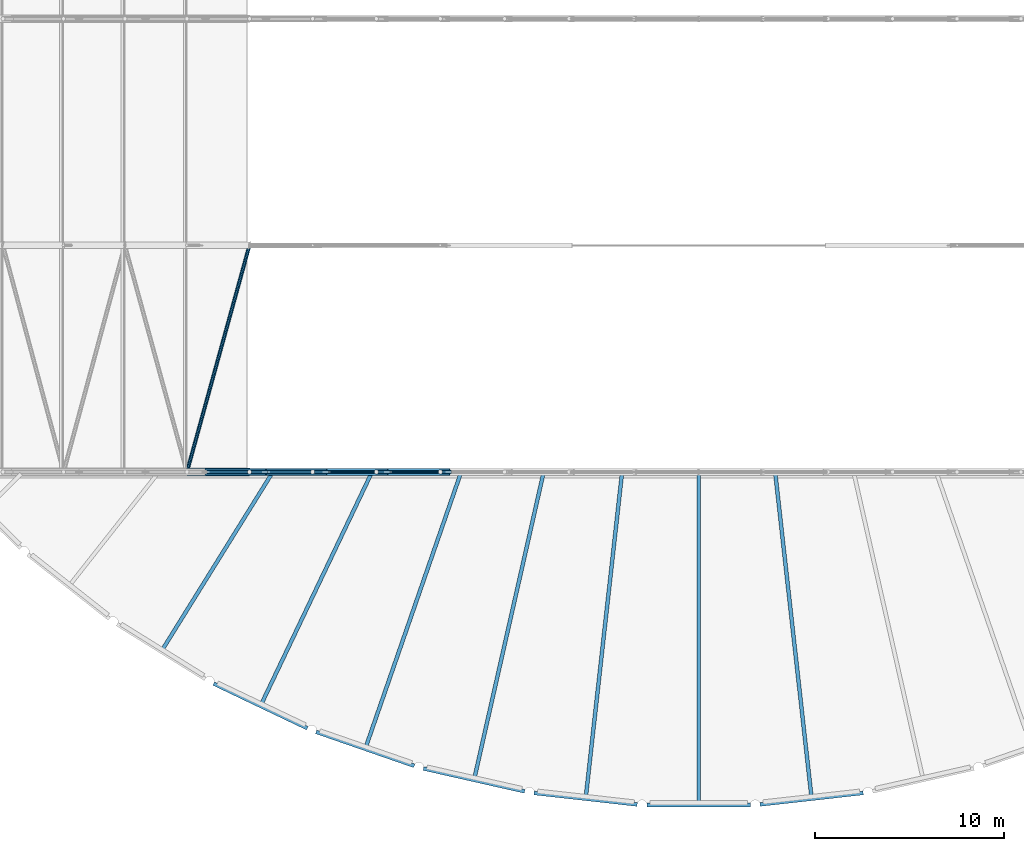
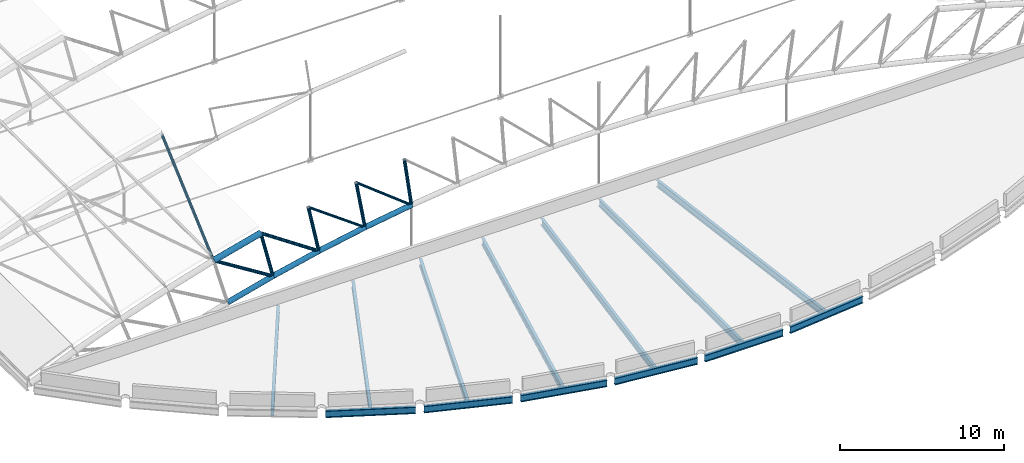
# One storey, part 17 of 321: 21 members, 6 beams.
"""IFC4 building model written with IfcOpenShell, lengths in metres."""

from ifc_helpers import new_model, si_unit, direction, frame, origin, origin_2d, place, context, subcontext, project, spatial, hollow_circle, i_section, extrude, material, material_profile, profile_set, type_object, element, save


model = new_model("IFC4")

# Units and contexts
model_context = context("Model", 3, precision=1e-05, world=origin(), true_north=direction((0.0, 1.0)))
body_context = subcontext(model_context, "Body", "Model", "MODEL_VIEW")
ifc_project = project(units=[si_unit("LENGTHUNIT", "METRE"), si_unit("AREAUNIT", "SQUARE_METRE"), si_unit("VOLUMEUNIT", "CUBIC_METRE"), si_unit("PLANEANGLEUNIT", "RADIAN"), si_unit("MASSUNIT", "GRAM", prefix="KILO")], contexts=[model_context])

# Site, building, storey
site_placement = place(None, origin())
site = spatial("IfcSite", under=ifc_project, at=site_placement, CompositionType="ELEMENT")
building_placement = place(site_placement, origin())
building = spatial("IfcBuilding", under=site, at=building_placement, Name="Ravi Spectrum Wholesale Market", CompositionType="ELEMENT")
storey_placement = place(building_placement, frame((0.0, 0.0, 10.800048828125)))
storey = spatial("IfcBuildingStorey", under=building, at=storey_placement, Name="L02", CompositionType="ELEMENT", Elevation=10.800048828125)

# Members
ifc_material_1 = material(Name="Steel S355", Category="steel")
ifc_material_profile_1 = material_profile(ifc_material_1, hollow_circle(Radius=0.084228515625, WallThickness=0.00634765625, at=origin_2d()))
ifc_profile_set_1 = profile_set([ifc_material_profile_1], Name="Steel S355")
member_type_1 = type_object("IfcMemberType", Name="CHS 168.3x6.3 brace", PredefinedType="BRACE", material=ifc_profile_set_1)
for number, where, z_axis, x_axis, name in (
    (1, (49.563720703125, 30.0, 6.27734375), (0.808703958366, 0.0, -0.588215868303), (0.0, 1.0, 0.0), "H1-MB-L02-077"),
    (2, (52.9326171875, 30.0, 6.92431640625), (0.787944778548, 0.0, -0.615745910225), (0.0, 1.0, 0.0), "H1-MB-L02-078"),
):
    element("IfcMember", number, at=place(storey_placement, frame(where, z_axis=z_axis, x_axis=x_axis)), inside=storey, type_object=member_type_1, Name=name, PredefinedType="BRACE", context=body_context, shape_type="SweptSolid", body=[
        extrude(hollow_circle(Radius=0.084228515625, WallThickness=0.00634765625, at=origin_2d()), origin(), (0.0, 0.0, 1.0), 4.9296875),
    ])
ifc_material_2 = material(Name="Steel S355", Category="steel")
ifc_material_profile_2 = material_profile(ifc_material_2, hollow_circle(Radius=0.096923828125, WallThickness=0.00634765625, at=origin_2d()))
ifc_profile_set_2 = profile_set([ifc_material_profile_2], Name="Steel S355")
member_type_2 = type_object("IfcMemberType", Name="CHS 193.7x6.3 brace", PredefinedType="BRACE", material=ifc_profile_set_2)
member_1_placement = place(storey_placement, frame((42.903076171875, 30.0, 4.63671875), z_axis=(0.265211760798, 0.961475768309, 0.072298470859), x_axis=(-0.963998512585, 0.265907630079, 0.0)))
element("IfcMember", 3, at=member_1_placement, inside=storey, type_object=member_type_2, Name="H1-MB-L02-1588", PredefinedType="BRACE", context=body_context, shape_type="SweptSolid", body=[
    extrude(hollow_circle(Radius=0.096923828125, WallThickness=0.00634765625, at=origin_2d()), origin(), (0.0, 0.0, 1.0), 12.480712890625),
])
ifc_material_3 = material(Name="Steel S355", Category="steel")
ifc_material_profile_3 = material_profile(ifc_material_3, hollow_circle(Radius=0.109619140625, WallThickness=0.008056640625, at=origin_2d()))
ifc_profile_set_3 = profile_set([ifc_material_profile_3], Name="Steel S355")
member_type_3 = type_object("IfcMemberType", Name="CHS 219.1x8 brace", PredefinedType="BRACE", material=ifc_profile_set_3)
for number, where, z_axis, x_axis, name in (
    (4, (42.903076171875, 30.0, 4.63671875), (0.847368909482, 0.0, -0.531004643335), (0.0, 1.0, 0.0), "H1-MB-L02-075"),
    (5, (46.21923828125, 30.0, 5.514404296875), (0.828544259915, 0.0, -0.559923574573), (0.0, 1.0, 0.0), "H1-MB-L02-076"),
):
    element("IfcMember", number, at=place(storey_placement, frame(where, z_axis=z_axis, x_axis=x_axis)), inside=storey, type_object=member_type_3, Name=name, PredefinedType="BRACE", context=body_context, shape_type="SweptSolid", body=[
        extrude(hollow_circle(Radius=0.109619140625, WallThickness=0.008056640625, at=origin_2d()), origin(), (0.0, 0.0, 1.0), 4.9296875),
    ])
ifc_material_4 = material(Name="Steel S355", Category="steel")
ifc_material_profile_4 = material_profile(ifc_material_4, hollow_circle(Radius=0.109619140625, WallThickness=0.008056640625, at=origin_2d()))
ifc_profile_set_4 = profile_set([ifc_material_profile_4], Name="Steel S355")
member_type_4 = type_object("IfcMemberType", Name="CHS 219.1x8 post", PredefinedType="POST", material=ifc_profile_set_4)
member_2_placement = place(storey_placement, frame((46.21923828125, 30.0, 5.514404296875), z_axis=(0.239199072456, 0.0, -0.970970547306), x_axis=(0.0, 1.0, 0.0)))
element("IfcMember", 6, at=member_2_placement, inside=storey, type_object=member_type_4, Name="H1-MB-L02-053", PredefinedType="POST", context=body_context, shape_type="SweptSolid", body=[
    extrude(hollow_circle(Radius=0.109619140625, WallThickness=0.008056640625, at=origin_2d()), origin(), (0.0, 0.0, 1.0), 3.599853515625),
])
for number, where, z_axis, x_axis, name in (
    (7, (49.563720703125, 30.0, 6.27734375), (0.205549060287, 0.0, -0.978646812602), (0.0, 1.0, 0.0), "H1-MB-L02-054"),
    (8, (52.9326171875, 30.0, 6.92431640625), (0.171575852457, 0.0, -0.985170912509), (0.0, 1.0, 0.0), "H1-MB-L02-055"),
):
    element("IfcMember", number, at=place(storey_placement, frame(where, z_axis=z_axis, x_axis=x_axis)), inside=storey, type_object=member_type_4, Name=name, PredefinedType="POST", context=body_context, shape_type="SweptSolid", body=[
        extrude(hollow_circle(Radius=0.109619140625, WallThickness=0.008056640625, at=origin_2d()), origin(), (0.0, 0.0, 1.0), 3.60009765625),
    ])
member_3_placement = place(storey_placement, frame((56.321533203125, 30.0, 7.45458984375), z_axis=(0.137603486835, 0.0, -0.990487395382), x_axis=(0.0, 1.0, 0.0)))
element("IfcMember", 9, at=member_3_placement, inside=storey, type_object=member_type_4, Name="H1-MB-L02-056", PredefinedType="POST", context=body_context, shape_type="SweptSolid", body=[
    extrude(hollow_circle(Radius=0.109619140625, WallThickness=0.008056640625, at=origin_2d()), origin(), (0.0, 0.0, 1.0), 3.599853515625),
])
ifc_material_5 = material(Name="Steel S355", Category="steel")
ifc_material_profile_5 = material_profile(ifc_material_5, hollow_circle(Radius=0.177734375, WallThickness=0.012451171875, at=origin_2d()))
ifc_profile_set_5 = profile_set([ifc_material_profile_5], Name="Steel S355")
member_type_5 = type_object("IfcMemberType", Name="CHS 355.6x12.5 chord", PredefinedType="CHORD", material=ifc_profile_set_5)
for number, where, z_axis, x_axis, name in (
    (10, (43.88427734375, 30.0, 1.173095703125), (0.966710063159, 0.0, 0.255874292938), (0.0, 1.0, 0.0), "H1-MB-L02-029"),
    (11, (47.080322265625, 30.0, 2.01904296875), (0.974967923727, 0.0, 0.222345559217), (0.0, 1.0, 0.0), "H1-MB-L02-030"),
):
    element("IfcMember", number, at=place(storey_placement, frame(where, z_axis=z_axis, x_axis=x_axis)), inside=storey, type_object=member_type_5, Name=name, PredefinedType="CHORD", context=body_context, shape_type="SweptSolid", body=[
        extrude(hollow_circle(Radius=0.177734375, WallThickness=0.012451171875, at=origin_2d()), origin(), (0.0, 0.0, 1.0), 3.30615234375),
    ])
member_4_placement = place(storey_placement, frame((50.3037109375, 30.0, 2.754150390625), z_axis=(0.982051718756, 0.0, 0.188611828072), x_axis=(0.0, 1.0, 0.0)))
element("IfcMember", 12, at=member_4_placement, inside=storey, type_object=member_type_5, Name="H1-MB-L02-031", PredefinedType="CHORD", context=body_context, shape_type="SweptSolid", body=[
    extrude(hollow_circle(Radius=0.177734375, WallThickness=0.012451171875, at=origin_2d()), origin(), (0.0, 0.0, 1.0), 3.305908203125),
])
member_5_placement = place(storey_placement, frame((53.55029296875, 30.0, 3.377685546875), z_axis=(0.987973992944, 0.0, 0.154620145084), x_axis=(0.0, 1.0, 0.0)))
element("IfcMember", 13, at=member_5_placement, inside=storey, type_object=member_type_5, Name="H1-MB-L02-032", PredefinedType="CHORD", context=body_context, shape_type="SweptSolid", body=[
    extrude(hollow_circle(Radius=0.177734375, WallThickness=0.012451171875, at=origin_2d()), origin(), (0.0, 0.0, 1.0), 3.306396484375),
])
ifc_material_6 = material(Name="Steel S355", Category="steel")
ifc_material_profile_6 = material_profile(ifc_material_6, hollow_circle(Radius=0.203125, WallThickness=0.01611328125, at=origin_2d()))
ifc_profile_set_6 = profile_set([ifc_material_profile_6], Name="Steel S355")
member_type_6 = type_object("IfcMemberType", Name="CHS 406.4x16 chord", PredefinedType="CHORD", material=ifc_profile_set_6)
member_6_placement = place(storey_placement, frame((42.903076171875, 30.0, 4.63671875), z_axis=(0.966714030155, 0.0, 0.255859304896), x_axis=(0.0, 1.0, 0.0)))
element("IfcMember", 14, at=member_6_placement, inside=storey, type_object=member_type_6, Name="H1-MB-L02-005", PredefinedType="CHORD", context=body_context, shape_type="SweptSolid", body=[
    extrude(hollow_circle(Radius=0.203125, WallThickness=0.01611328125, at=origin_2d()), origin(), (0.0, 0.0, 1.0), 3.430419921875),
])

# Beams
ifc_material_7 = material(Name="Steel S355", Category="steel")
ifc_material_profile_7 = material_profile(ifc_material_7, i_section(OverallWidth=0.199951171875, OverallDepth=0.5, WebThickness=0.01025390625, FlangeThickness=0.01611328125, at=origin_2d()))
ifc_profile_set_7 = profile_set([ifc_material_profile_7], Name="Steel S355")
beam_type = type_object("IfcBeamType", Name="IPE 500 girder", PredefinedType="BEAM", material=ifc_profile_set_7)
beam_1_placement = place(storey_placement, frame((44.31640625, 18.791015625, -0.449951171875), z_axis=(0.902666614249, -0.430340543664, 0.0), x_axis=(0.430340543664, 0.902666614249, 0.0)))
element("IfcBeam", 15, at=beam_1_placement, inside=storey, type_object=beam_type, Name="H1-BM-L02-034", PredefinedType="BEAM", context=body_context, shape_type="SweptSolid", body=[
    extrude(i_section(OverallWidth=0.199951171875, OverallDepth=0.5, WebThickness=0.01025390625, FlangeThickness=0.01611328125, at=origin_2d()), origin(), (0.0, 0.0, 1.0), 5.4951171875),
])
for number, where, z_axis, x_axis, name in (
    (16, (49.745849609375, 16.233642578125, -0.449951171875), (0.944852880638, -0.327495089964, 0.0), (0.327495089964, 0.944852880638, 0.0), "H1-BM-L02-035"),
    (17, (55.42529296875, 14.294677734375, -0.449951171875), (0.975365810688, -0.220593597689, 0.0), (0.220593597689, 0.975365810688, 0.0), "H1-BM-L02-036"),
    (18, (61.28515625, 12.998291015625, -0.449951171875), (0.993821809942, -0.110987432101, 0.0), (0.110987432101, 0.993821809942, 0.0), "H1-BM-L02-037"),
):
    element("IfcBeam", number, at=place(storey_placement, frame(where, z_axis=z_axis, x_axis=x_axis)), inside=storey, type_object=beam_type, Name=name, PredefinedType="BEAM", context=body_context, shape_type="SweptSolid", body=[
        extrude(i_section(OverallWidth=0.199951171875, OverallDepth=0.5, WebThickness=0.01025390625, FlangeThickness=0.01611328125, at=origin_2d()), origin(), (0.0, 0.0, 1.0), 5.494873046875),
    ])
beam_2_placement = place(storey_placement, frame((67.25244140625, 12.360107421875, -0.449951171875), z_axis=(1.0, 0.0, 0.0), x_axis=(0.0, 1.0, 0.0)))
element("IfcBeam", 19, at=beam_2_placement, inside=storey, type_object=beam_type, Name="H1-BM-L02-038", PredefinedType="BEAM", context=body_context, shape_type="SweptSolid", body=[
    extrude(i_section(OverallWidth=0.199951171875, OverallDepth=0.5, WebThickness=0.01025390625, FlangeThickness=0.01611328125, at=origin_2d()), origin(), (0.0, 0.0, 1.0), 5.4951171875),
])
beam_3_placement = place(storey_placement, frame((73.25390625, 12.388427734375, -0.449951171875), z_axis=(0.993821809942, 0.110987432101, 0.0), x_axis=(-0.110987432101, 0.993821809942, 0.0)))
element("IfcBeam", 20, at=beam_3_placement, inside=storey, type_object=beam_type, Name="H1-BM-L02-039", PredefinedType="BEAM", context=body_context, shape_type="SweptSolid", body=[
    extrude(i_section(OverallWidth=0.199951171875, OverallDepth=0.5, WebThickness=0.01025390625, FlangeThickness=0.01611328125, at=origin_2d()), origin(), (0.0, 0.0, 1.0), 5.494873046875),
])

# Members
ifc_material_8 = material(Name="Steel S355", Category="steel")
ifc_material_profile_8 = material_profile(ifc_material_8, i_section(OverallWidth=0.199951171875, OverallDepth=0.5, WebThickness=0.01025390625, FlangeThickness=0.01611328125, at=origin_2d()))
ifc_profile_set_8 = profile_set([ifc_material_profile_8], Name="Steel S355")
member_type_7 = type_object("IfcMemberType", Name="IPE 500 rafter", PredefinedType="RAFTER", material=ifc_profile_set_8)
member_7_placement = place(storey_placement, frame((41.5908203125, 20.569580078125, -0.449951171875), z_axis=(0.527893830436, 0.849310369528, 0.0), x_axis=(-0.849310369528, 0.527893830436, 0.0)))
element("IfcMember", 21, at=member_7_placement, inside=storey, type_object=member_type_7, Name="H1-MB-L02-1740", PredefinedType="RAFTER", context=body_context, shape_type="SweptSolid", body=[
    extrude(i_section(OverallWidth=0.199951171875, OverallDepth=0.5, WebThickness=0.01025390625, FlangeThickness=0.01611328125, at=origin_2d()), origin(), (0.0, 0.0, 1.0), 10.98583984375),
])
member_8_placement = place(storey_placement, frame((46.839599609375, 17.69873046875, -0.449951171875), z_axis=(0.430359103949, 0.902657765517, 0.0), x_axis=(-0.902657765517, 0.430359103949, 0.0)))
element("IfcMember", 22, at=member_8_placement, inside=storey, type_object=member_type_7, Name="H1-MB-L02-1741", PredefinedType="RAFTER", context=body_context, shape_type="SweptSolid", body=[
    extrude(i_section(OverallWidth=0.199951171875, OverallDepth=0.5, WebThickness=0.01025390625, FlangeThickness=0.01611328125, at=origin_2d()), origin(), (0.0, 0.0, 1.0), 13.516845703125),
])
member_9_placement = place(storey_placement, frame((52.37451171875, 15.42822265625, -0.449951171875), z_axis=(0.327514566232, 0.944846129751, 0.0), x_axis=(-0.944846129751, 0.327514566232, 0.0)))
element("IfcMember", 23, at=member_9_placement, inside=storey, type_object=member_type_7, Name="H1-MB-L02-1742", PredefinedType="RAFTER", context=body_context, shape_type="SweptSolid", body=[
    extrude(i_section(OverallWidth=0.199951171875, OverallDepth=0.5, WebThickness=0.01025390625, FlangeThickness=0.01611328125, at=origin_2d()), origin(), (0.0, 0.0, 1.0), 15.31640625),
])
member_10_placement = place(storey_placement, frame((58.127197265625, 13.7861328125, -0.449951171875), z_axis=(0.220616912558, 0.975360537388, 0.0), x_axis=(-0.975360537388, 0.220616912558, 0.0)))
element("IfcMember", 24, at=member_10_placement, inside=storey, type_object=member_type_7, Name="H1-MB-L02-1743", PredefinedType="RAFTER", context=body_context, shape_type="SweptSolid", body=[
    extrude(i_section(OverallWidth=0.199951171875, OverallDepth=0.5, WebThickness=0.01025390625, FlangeThickness=0.01611328125, at=origin_2d()), origin(), (0.0, 0.0, 1.0), 16.520751953125),
])
member_11_placement = place(storey_placement, frame((64.026611328125, 12.792724609375, -0.449951171875), z_axis=(0.11099658186, 0.993820788078, 0.0), x_axis=(-0.993820788078, 0.11099658186, 0.0)))
element("IfcMember", 25, at=member_11_placement, inside=storey, type_object=member_type_7, Name="H1-MB-L02-1744", PredefinedType="RAFTER", context=body_context, shape_type="SweptSolid", body=[
    extrude(i_section(OverallWidth=0.199951171875, OverallDepth=0.5, WebThickness=0.01025390625, FlangeThickness=0.01611328125, at=origin_2d()), origin(), (0.0, 0.0, 1.0), 17.213623046875),
])
member_12_placement = place(storey_placement, frame((70.0, 12.460205078125, -0.449951171875), z_axis=(0.0, 1.0, 0.0), x_axis=(-1.0, 0.0, 0.0)))
element("IfcMember", 26, at=member_12_placement, inside=storey, type_object=member_type_7, Name="H1-MB-L02-1745", PredefinedType="RAFTER", context=body_context, shape_type="SweptSolid", body=[
    extrude(i_section(OverallWidth=0.199951171875, OverallDepth=0.5, WebThickness=0.01025390625, FlangeThickness=0.01611328125, at=origin_2d()), origin(), (0.0, 0.0, 1.0), 17.439697265625),
])
member_13_placement = place(storey_placement, frame((75.973388671875, 12.792724609375, -0.449951171875), z_axis=(-0.11099658186, 0.993820788078, 0.0), x_axis=(-0.993820788078, -0.11099658186, 0.0)))
element("IfcMember", 27, at=member_13_placement, inside=storey, type_object=member_type_7, Name="H1-MB-L02-1746", PredefinedType="RAFTER", context=body_context, shape_type="SweptSolid", body=[
    extrude(i_section(OverallWidth=0.199951171875, OverallDepth=0.5, WebThickness=0.01025390625, FlangeThickness=0.01611328125, at=origin_2d()), origin(), (0.0, 0.0, 1.0), 17.213623046875),
])

save(model, "model.ifc")
